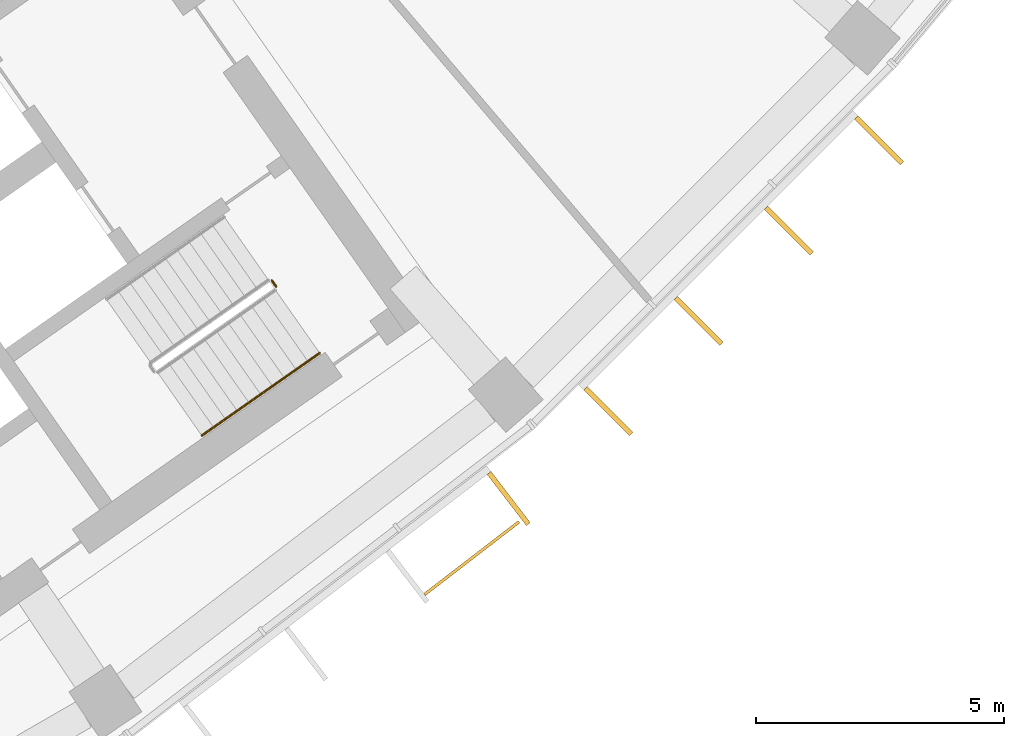
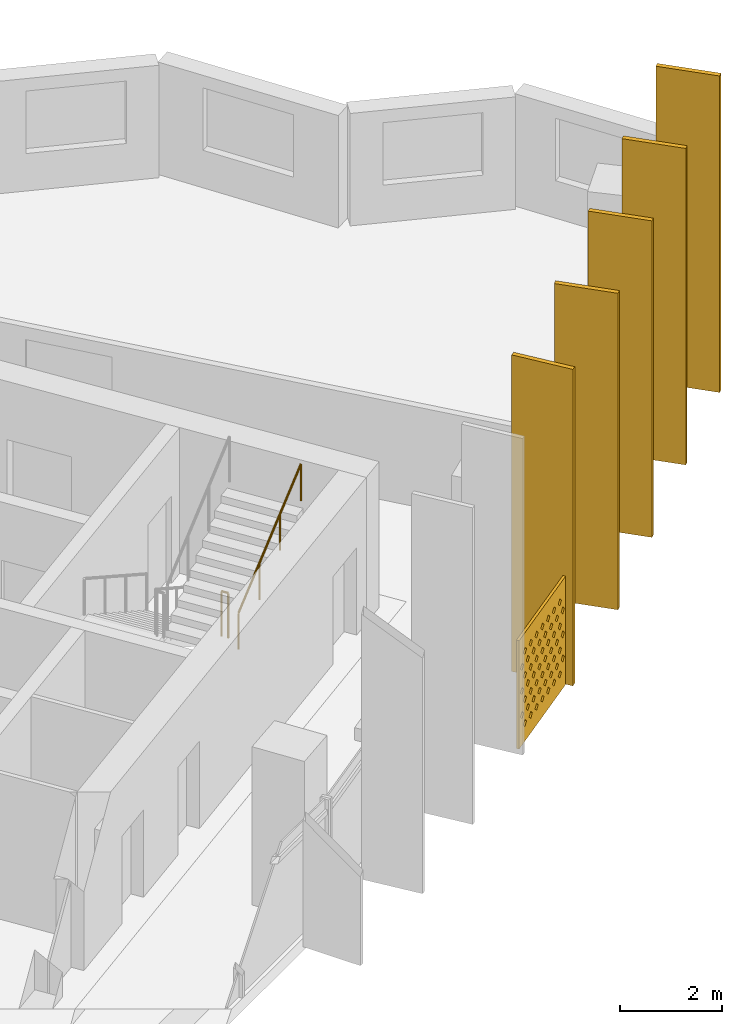
# One storey, part 28 of 28: 6 shading devices, 2 railings.
"""IFC4 building model written with IfcOpenShell, lengths in metres."""

from ifc_helpers import new_model, si_unit, direction, frame, origin, origin_2d, place, context, subcontext, project, spatial, polyline, rectangle, circle, outline, extrude, material, material_profile, profile_set, type_object, element, save


model = new_model("IFC4")

# Units and contexts
model_context = context("Model", 3, precision=1e-05, world=origin(), true_north=direction((0.0, 1.0)))
body_context = subcontext(model_context, "Body", "Model", "MODEL_VIEW")
ifc_project = project(units=[si_unit("LENGTHUNIT", "METRE"), si_unit("AREAUNIT", "SQUARE_METRE"), si_unit("VOLUMEUNIT", "CUBIC_METRE"), si_unit("PLANEANGLEUNIT", "RADIAN"), si_unit("MASSUNIT", "GRAM", prefix="KILO")], contexts=[model_context])

# Site, building, storey
site_placement = place(None, origin())
site = spatial("IfcSite", under=ifc_project, at=site_placement, CompositionType="ELEMENT")
building_placement = place(site_placement, origin())
building = spatial("IfcBuilding", under=site, at=building_placement, Name="Qamariyya Broadcast Tower", CompositionType="ELEMENT")
storey_placement = place(building_placement, frame((0.0, 0.0, 241.699951171875)))
storey = spatial("IfcBuildingStorey", under=building, at=storey_placement, Name="L58", CompositionType="ELEMENT", Elevation=241.699951171875)

# Shading device
ifc_material_1 = material(Name="Perforated glazed terracotta", Category="masonry")
ifc_material_profile_1 = material_profile(ifc_material_1, outline(polyline([(-1.199951171875, -1.300048828125), (1.199951171875, -1.300048828125), (1.199951171875, 1.300048828125), (-1.199951171875, 1.300048828125), (-1.199951171875, -1.300048828125)]), holes=[polyline([(-0.81494140625, -0.86669921875), (-0.89990234375, -0.78173828125), (-0.985107421875, -0.86669921875), (-0.89990234375, -0.95166015625), (-0.81494140625, -0.86669921875)]), polyline([(-0.514892578125, -0.86669921875), (-0.60009765625, -0.78173828125), (-0.68505859375, -0.86669921875), (-0.60009765625, -0.95166015625), (-0.514892578125, -0.86669921875)]), polyline([(-0.215087890625, -0.86669921875), (-0.300048828125, -0.78173828125), (-0.385009765625, -0.86669921875), (-0.300048828125, -0.95166015625), (-0.215087890625, -0.86669921875)]), polyline([(0.0849609375, -0.86669921875), (0.0, -0.78173828125), (-0.0849609375, -0.86669921875), (0.0, -0.95166015625), (0.0849609375, -0.86669921875)]), polyline([(0.385009765625, -0.86669921875), (0.300048828125, -0.78173828125), (0.215087890625, -0.86669921875), (0.300048828125, -0.95166015625), (0.385009765625, -0.86669921875)]), polyline([(0.68505859375, -0.86669921875), (0.60009765625, -0.78173828125), (0.514892578125, -0.86669921875), (0.60009765625, -0.95166015625), (0.68505859375, -0.86669921875)]), polyline([(0.985107421875, -0.86669921875), (0.89990234375, -0.78173828125), (0.81494140625, -0.86669921875), (0.89990234375, -0.95166015625), (0.985107421875, -0.86669921875)]), polyline([(-0.965087890625, -0.577880859375), (-1.050048828125, -0.49267578125), (-1.135009765625, -0.577880859375), (-1.050048828125, -0.662841796875), (-0.965087890625, -0.577880859375)]), polyline([(-0.6650390625, -0.577880859375), (-0.75, -0.49267578125), (-0.8349609375, -0.577880859375), (-0.75, -0.662841796875), (-0.6650390625, -0.577880859375)]), polyline([(-0.364990234375, -0.577880859375), (-0.449951171875, -0.49267578125), (-0.534912109375, -0.577880859375), (-0.449951171875, -0.662841796875), (-0.364990234375, -0.577880859375)]), polyline([(-0.06494140625, -0.577880859375), (-0.14990234375, -0.49267578125), (-0.235107421875, -0.577880859375), (-0.14990234375, -0.662841796875), (-0.06494140625, -0.577880859375)]), polyline([(0.235107421875, -0.577880859375), (0.14990234375, -0.49267578125), (0.06494140625, -0.577880859375), (0.14990234375, -0.662841796875), (0.235107421875, -0.577880859375)]), polyline([(0.534912109375, -0.577880859375), (0.449951171875, -0.49267578125), (0.364990234375, -0.577880859375), (0.449951171875, -0.662841796875), (0.534912109375, -0.577880859375)]), polyline([(0.8349609375, -0.577880859375), (0.75, -0.49267578125), (0.6650390625, -0.577880859375), (0.75, -0.662841796875), (0.8349609375, -0.577880859375)]), polyline([(1.135009765625, -0.577880859375), (1.050048828125, -0.49267578125), (0.965087890625, -0.577880859375), (1.050048828125, -0.662841796875), (1.135009765625, -0.577880859375)]), polyline([(-0.81494140625, -0.288818359375), (-0.89990234375, -0.203857421875), (-0.985107421875, -0.288818359375), (-0.89990234375, -0.373779296875), (-0.81494140625, -0.288818359375)]), polyline([(-0.514892578125, -0.288818359375), (-0.60009765625, -0.203857421875), (-0.68505859375, -0.288818359375), (-0.60009765625, -0.373779296875), (-0.514892578125, -0.288818359375)]), polyline([(-0.215087890625, -0.288818359375), (-0.300048828125, -0.203857421875), (-0.385009765625, -0.288818359375), (-0.300048828125, -0.373779296875), (-0.215087890625, -0.288818359375)]), polyline([(0.0849609375, -0.288818359375), (0.0, -0.203857421875), (-0.0849609375, -0.288818359375), (0.0, -0.373779296875), (0.0849609375, -0.288818359375)]), polyline([(0.385009765625, -0.288818359375), (0.300048828125, -0.203857421875), (0.215087890625, -0.288818359375), (0.300048828125, -0.373779296875), (0.385009765625, -0.288818359375)]), polyline([(0.68505859375, -0.288818359375), (0.60009765625, -0.203857421875), (0.514892578125, -0.288818359375), (0.60009765625, -0.373779296875), (0.68505859375, -0.288818359375)]), polyline([(0.985107421875, -0.288818359375), (0.89990234375, -0.203857421875), (0.81494140625, -0.288818359375), (0.89990234375, -0.373779296875), (0.985107421875, -0.288818359375)]), polyline([(-0.965087890625, 0.0), (-1.050048828125, 0.0849609375), (-1.135009765625, 0.0), (-1.050048828125, -0.0849609375), (-0.965087890625, 0.0)]), polyline([(-0.6650390625, 0.0), (-0.75, 0.0849609375), (-0.8349609375, 0.0), (-0.75, -0.0849609375), (-0.6650390625, 0.0)]), polyline([(-0.364990234375, 0.0), (-0.449951171875, 0.0849609375), (-0.534912109375, 0.0), (-0.449951171875, -0.0849609375), (-0.364990234375, 0.0)]), polyline([(-0.06494140625, 0.0), (-0.14990234375, 0.0849609375), (-0.235107421875, 0.0), (-0.14990234375, -0.0849609375), (-0.06494140625, 0.0)]), polyline([(0.235107421875, 0.0), (0.14990234375, 0.0849609375), (0.06494140625, 0.0), (0.14990234375, -0.0849609375), (0.235107421875, 0.0)]), polyline([(0.534912109375, 0.0), (0.449951171875, 0.0849609375), (0.364990234375, 0.0), (0.449951171875, -0.0849609375), (0.534912109375, 0.0)]), polyline([(0.8349609375, 0.0), (0.75, 0.0849609375), (0.6650390625, 0.0), (0.75, -0.0849609375), (0.8349609375, 0.0)]), polyline([(1.135009765625, 0.0), (1.050048828125, 0.0849609375), (0.965087890625, 0.0), (1.050048828125, -0.0849609375), (1.135009765625, 0.0)]), polyline([(-0.81494140625, 0.288818359375), (-0.89990234375, 0.373779296875), (-0.985107421875, 0.288818359375), (-0.89990234375, 0.203857421875), (-0.81494140625, 0.288818359375)]), polyline([(-0.514892578125, 0.288818359375), (-0.60009765625, 0.373779296875), (-0.68505859375, 0.288818359375), (-0.60009765625, 0.203857421875), (-0.514892578125, 0.288818359375)]), polyline([(-0.215087890625, 0.288818359375), (-0.300048828125, 0.373779296875), (-0.385009765625, 0.288818359375), (-0.300048828125, 0.203857421875), (-0.215087890625, 0.288818359375)]), polyline([(0.0849609375, 0.288818359375), (0.0, 0.373779296875), (-0.0849609375, 0.288818359375), (0.0, 0.203857421875), (0.0849609375, 0.288818359375)]), polyline([(0.385009765625, 0.288818359375), (0.300048828125, 0.373779296875), (0.215087890625, 0.288818359375), (0.300048828125, 0.203857421875), (0.385009765625, 0.288818359375)]), polyline([(0.68505859375, 0.288818359375), (0.60009765625, 0.373779296875), (0.514892578125, 0.288818359375), (0.60009765625, 0.203857421875), (0.68505859375, 0.288818359375)]), polyline([(0.985107421875, 0.288818359375), (0.89990234375, 0.373779296875), (0.81494140625, 0.288818359375), (0.89990234375, 0.203857421875), (0.985107421875, 0.288818359375)]), polyline([(-0.965087890625, 0.577880859375), (-1.050048828125, 0.662841796875), (-1.135009765625, 0.577880859375), (-1.050048828125, 0.49267578125), (-0.965087890625, 0.577880859375)]), polyline([(-0.6650390625, 0.577880859375), (-0.75, 0.662841796875), (-0.8349609375, 0.577880859375), (-0.75, 0.49267578125), (-0.6650390625, 0.577880859375)]), polyline([(-0.364990234375, 0.577880859375), (-0.449951171875, 0.662841796875), (-0.534912109375, 0.577880859375), (-0.449951171875, 0.49267578125), (-0.364990234375, 0.577880859375)]), polyline([(-0.06494140625, 0.577880859375), (-0.14990234375, 0.662841796875), (-0.235107421875, 0.577880859375), (-0.14990234375, 0.49267578125), (-0.06494140625, 0.577880859375)]), polyline([(0.235107421875, 0.577880859375), (0.14990234375, 0.662841796875), (0.06494140625, 0.577880859375), (0.14990234375, 0.49267578125), (0.235107421875, 0.577880859375)]), polyline([(0.534912109375, 0.577880859375), (0.449951171875, 0.662841796875), (0.364990234375, 0.577880859375), (0.449951171875, 0.49267578125), (0.534912109375, 0.577880859375)]), polyline([(0.8349609375, 0.577880859375), (0.75, 0.662841796875), (0.6650390625, 0.577880859375), (0.75, 0.49267578125), (0.8349609375, 0.577880859375)]), polyline([(1.135009765625, 0.577880859375), (1.050048828125, 0.662841796875), (0.965087890625, 0.577880859375), (1.050048828125, 0.49267578125), (1.135009765625, 0.577880859375)]), polyline([(-0.81494140625, 0.86669921875), (-0.89990234375, 0.95166015625), (-0.985107421875, 0.86669921875), (-0.89990234375, 0.78173828125), (-0.81494140625, 0.86669921875)]), polyline([(-0.514892578125, 0.86669921875), (-0.60009765625, 0.95166015625), (-0.68505859375, 0.86669921875), (-0.60009765625, 0.78173828125), (-0.514892578125, 0.86669921875)]), polyline([(-0.215087890625, 0.86669921875), (-0.300048828125, 0.95166015625), (-0.385009765625, 0.86669921875), (-0.300048828125, 0.78173828125), (-0.215087890625, 0.86669921875)]), polyline([(0.0849609375, 0.86669921875), (0.0, 0.95166015625), (-0.0849609375, 0.86669921875), (0.0, 0.78173828125), (0.0849609375, 0.86669921875)]), polyline([(0.385009765625, 0.86669921875), (0.300048828125, 0.95166015625), (0.215087890625, 0.86669921875), (0.300048828125, 0.78173828125), (0.385009765625, 0.86669921875)]), polyline([(0.68505859375, 0.86669921875), (0.60009765625, 0.95166015625), (0.514892578125, 0.86669921875), (0.60009765625, 0.78173828125), (0.68505859375, 0.86669921875)]), polyline([(0.985107421875, 0.86669921875), (0.89990234375, 0.95166015625), (0.81494140625, 0.86669921875), (0.89990234375, 0.78173828125), (0.985107421875, 0.86669921875)])]))
ifc_profile_set_1 = profile_set([ifc_material_profile_1], Name="Perforated glazed terracotta")
shading_device_type_1 = type_object("IfcShadingDeviceType", Name="Perforated terracotta screen 2400 x 2600", PredefinedType="USERDEFINED", material=ifc_profile_set_1)
shading_device_placement = place(storey_placement, frame((50.5615234375, -61.727294921875, 1.35009765625), z_axis=(0.60971076085, -0.792623989105, 0.0), x_axis=(0.792623989105, 0.60971076085, 0.0)))
element("IfcShadingDevice", 1, at=shading_device_placement, inside=storey, type_object=shading_device_type_1, Name="e-scr-L58-13-2", ObjectType="SCREEN", PredefinedType="USERDEFINED", context=body_context, shape_type="SweptSolid", body=[
    extrude(outline(polyline([(-1.199951171875, -1.300048828125), (1.199951171875, -1.300048828125), (1.199951171875, 1.300048828125), (-1.199951171875, 1.300048828125), (-1.199951171875, -1.300048828125)]), holes=[polyline([(-0.81494140625, -0.86669921875), (-0.89990234375, -0.78173828125), (-0.985107421875, -0.86669921875), (-0.89990234375, -0.95166015625), (-0.81494140625, -0.86669921875)]), polyline([(-0.514892578125, -0.86669921875), (-0.60009765625, -0.78173828125), (-0.68505859375, -0.86669921875), (-0.60009765625, -0.95166015625), (-0.514892578125, -0.86669921875)]), polyline([(-0.215087890625, -0.86669921875), (-0.300048828125, -0.78173828125), (-0.385009765625, -0.86669921875), (-0.300048828125, -0.95166015625), (-0.215087890625, -0.86669921875)]), polyline([(0.0849609375, -0.86669921875), (0.0, -0.78173828125), (-0.0849609375, -0.86669921875), (0.0, -0.95166015625), (0.0849609375, -0.86669921875)]), polyline([(0.385009765625, -0.86669921875), (0.300048828125, -0.78173828125), (0.215087890625, -0.86669921875), (0.300048828125, -0.95166015625), (0.385009765625, -0.86669921875)]), polyline([(0.68505859375, -0.86669921875), (0.60009765625, -0.78173828125), (0.514892578125, -0.86669921875), (0.60009765625, -0.95166015625), (0.68505859375, -0.86669921875)]), polyline([(0.985107421875, -0.86669921875), (0.89990234375, -0.78173828125), (0.81494140625, -0.86669921875), (0.89990234375, -0.95166015625), (0.985107421875, -0.86669921875)]), polyline([(-0.965087890625, -0.577880859375), (-1.050048828125, -0.49267578125), (-1.135009765625, -0.577880859375), (-1.050048828125, -0.662841796875), (-0.965087890625, -0.577880859375)]), polyline([(-0.6650390625, -0.577880859375), (-0.75, -0.49267578125), (-0.8349609375, -0.577880859375), (-0.75, -0.662841796875), (-0.6650390625, -0.577880859375)]), polyline([(-0.364990234375, -0.577880859375), (-0.449951171875, -0.49267578125), (-0.534912109375, -0.577880859375), (-0.449951171875, -0.662841796875), (-0.364990234375, -0.577880859375)]), polyline([(-0.06494140625, -0.577880859375), (-0.14990234375, -0.49267578125), (-0.235107421875, -0.577880859375), (-0.14990234375, -0.662841796875), (-0.06494140625, -0.577880859375)]), polyline([(0.235107421875, -0.577880859375), (0.14990234375, -0.49267578125), (0.06494140625, -0.577880859375), (0.14990234375, -0.662841796875), (0.235107421875, -0.577880859375)]), polyline([(0.534912109375, -0.577880859375), (0.449951171875, -0.49267578125), (0.364990234375, -0.577880859375), (0.449951171875, -0.662841796875), (0.534912109375, -0.577880859375)]), polyline([(0.8349609375, -0.577880859375), (0.75, -0.49267578125), (0.6650390625, -0.577880859375), (0.75, -0.662841796875), (0.8349609375, -0.577880859375)]), polyline([(1.135009765625, -0.577880859375), (1.050048828125, -0.49267578125), (0.965087890625, -0.577880859375), (1.050048828125, -0.662841796875), (1.135009765625, -0.577880859375)]), polyline([(-0.81494140625, -0.288818359375), (-0.89990234375, -0.203857421875), (-0.985107421875, -0.288818359375), (-0.89990234375, -0.373779296875), (-0.81494140625, -0.288818359375)]), polyline([(-0.514892578125, -0.288818359375), (-0.60009765625, -0.203857421875), (-0.68505859375, -0.288818359375), (-0.60009765625, -0.373779296875), (-0.514892578125, -0.288818359375)]), polyline([(-0.215087890625, -0.288818359375), (-0.300048828125, -0.203857421875), (-0.385009765625, -0.288818359375), (-0.300048828125, -0.373779296875), (-0.215087890625, -0.288818359375)]), polyline([(0.0849609375, -0.288818359375), (0.0, -0.203857421875), (-0.0849609375, -0.288818359375), (0.0, -0.373779296875), (0.0849609375, -0.288818359375)]), polyline([(0.385009765625, -0.288818359375), (0.300048828125, -0.203857421875), (0.215087890625, -0.288818359375), (0.300048828125, -0.373779296875), (0.385009765625, -0.288818359375)]), polyline([(0.68505859375, -0.288818359375), (0.60009765625, -0.203857421875), (0.514892578125, -0.288818359375), (0.60009765625, -0.373779296875), (0.68505859375, -0.288818359375)]), polyline([(0.985107421875, -0.288818359375), (0.89990234375, -0.203857421875), (0.81494140625, -0.288818359375), (0.89990234375, -0.373779296875), (0.985107421875, -0.288818359375)]), polyline([(-0.965087890625, 0.0), (-1.050048828125, 0.0849609375), (-1.135009765625, 0.0), (-1.050048828125, -0.0849609375), (-0.965087890625, 0.0)]), polyline([(-0.6650390625, 0.0), (-0.75, 0.0849609375), (-0.8349609375, 0.0), (-0.75, -0.0849609375), (-0.6650390625, 0.0)]), polyline([(-0.364990234375, 0.0), (-0.449951171875, 0.0849609375), (-0.534912109375, 0.0), (-0.449951171875, -0.0849609375), (-0.364990234375, 0.0)]), polyline([(-0.06494140625, 0.0), (-0.14990234375, 0.0849609375), (-0.235107421875, 0.0), (-0.14990234375, -0.0849609375), (-0.06494140625, 0.0)]), polyline([(0.235107421875, 0.0), (0.14990234375, 0.0849609375), (0.06494140625, 0.0), (0.14990234375, -0.0849609375), (0.235107421875, 0.0)]), polyline([(0.534912109375, 0.0), (0.449951171875, 0.0849609375), (0.364990234375, 0.0), (0.449951171875, -0.0849609375), (0.534912109375, 0.0)]), polyline([(0.8349609375, 0.0), (0.75, 0.0849609375), (0.6650390625, 0.0), (0.75, -0.0849609375), (0.8349609375, 0.0)]), polyline([(1.135009765625, 0.0), (1.050048828125, 0.0849609375), (0.965087890625, 0.0), (1.050048828125, -0.0849609375), (1.135009765625, 0.0)]), polyline([(-0.81494140625, 0.288818359375), (-0.89990234375, 0.373779296875), (-0.985107421875, 0.288818359375), (-0.89990234375, 0.203857421875), (-0.81494140625, 0.288818359375)]), polyline([(-0.514892578125, 0.288818359375), (-0.60009765625, 0.373779296875), (-0.68505859375, 0.288818359375), (-0.60009765625, 0.203857421875), (-0.514892578125, 0.288818359375)]), polyline([(-0.215087890625, 0.288818359375), (-0.300048828125, 0.373779296875), (-0.385009765625, 0.288818359375), (-0.300048828125, 0.203857421875), (-0.215087890625, 0.288818359375)]), polyline([(0.0849609375, 0.288818359375), (0.0, 0.373779296875), (-0.0849609375, 0.288818359375), (0.0, 0.203857421875), (0.0849609375, 0.288818359375)]), polyline([(0.385009765625, 0.288818359375), (0.300048828125, 0.373779296875), (0.215087890625, 0.288818359375), (0.300048828125, 0.203857421875), (0.385009765625, 0.288818359375)]), polyline([(0.68505859375, 0.288818359375), (0.60009765625, 0.373779296875), (0.514892578125, 0.288818359375), (0.60009765625, 0.203857421875), (0.68505859375, 0.288818359375)]), polyline([(0.985107421875, 0.288818359375), (0.89990234375, 0.373779296875), (0.81494140625, 0.288818359375), (0.89990234375, 0.203857421875), (0.985107421875, 0.288818359375)]), polyline([(-0.965087890625, 0.577880859375), (-1.050048828125, 0.662841796875), (-1.135009765625, 0.577880859375), (-1.050048828125, 0.49267578125), (-0.965087890625, 0.577880859375)]), polyline([(-0.6650390625, 0.577880859375), (-0.75, 0.662841796875), (-0.8349609375, 0.577880859375), (-0.75, 0.49267578125), (-0.6650390625, 0.577880859375)]), polyline([(-0.364990234375, 0.577880859375), (-0.449951171875, 0.662841796875), (-0.534912109375, 0.577880859375), (-0.449951171875, 0.49267578125), (-0.364990234375, 0.577880859375)]), polyline([(-0.06494140625, 0.577880859375), (-0.14990234375, 0.662841796875), (-0.235107421875, 0.577880859375), (-0.14990234375, 0.49267578125), (-0.06494140625, 0.577880859375)]), polyline([(0.235107421875, 0.577880859375), (0.14990234375, 0.662841796875), (0.06494140625, 0.577880859375), (0.14990234375, 0.49267578125), (0.235107421875, 0.577880859375)]), polyline([(0.534912109375, 0.577880859375), (0.449951171875, 0.662841796875), (0.364990234375, 0.577880859375), (0.449951171875, 0.49267578125), (0.534912109375, 0.577880859375)]), polyline([(0.8349609375, 0.577880859375), (0.75, 0.662841796875), (0.6650390625, 0.577880859375), (0.75, 0.49267578125), (0.8349609375, 0.577880859375)]), polyline([(1.135009765625, 0.577880859375), (1.050048828125, 0.662841796875), (0.965087890625, 0.577880859375), (1.050048828125, 0.49267578125), (1.135009765625, 0.577880859375)]), polyline([(-0.81494140625, 0.86669921875), (-0.89990234375, 0.95166015625), (-0.985107421875, 0.86669921875), (-0.89990234375, 0.78173828125), (-0.81494140625, 0.86669921875)]), polyline([(-0.514892578125, 0.86669921875), (-0.60009765625, 0.95166015625), (-0.68505859375, 0.86669921875), (-0.60009765625, 0.78173828125), (-0.514892578125, 0.86669921875)]), polyline([(-0.215087890625, 0.86669921875), (-0.300048828125, 0.95166015625), (-0.385009765625, 0.86669921875), (-0.300048828125, 0.78173828125), (-0.215087890625, 0.86669921875)]), polyline([(0.0849609375, 0.86669921875), (0.0, 0.95166015625), (-0.0849609375, 0.86669921875), (0.0, 0.78173828125), (0.0849609375, 0.86669921875)]), polyline([(0.385009765625, 0.86669921875), (0.300048828125, 0.95166015625), (0.215087890625, 0.86669921875), (0.300048828125, 0.78173828125), (0.385009765625, 0.86669921875)]), polyline([(0.68505859375, 0.86669921875), (0.60009765625, 0.95166015625), (0.514892578125, 0.86669921875), (0.60009765625, 0.78173828125), (0.68505859375, 0.86669921875)]), polyline([(0.985107421875, 0.86669921875), (0.89990234375, 0.95166015625), (0.81494140625, 0.86669921875), (0.89990234375, 0.78173828125), (0.985107421875, 0.86669921875)])]), origin(), (0.0, 0.0, 1.0), 0.06005859375),
])

# Railings
ifc_material_2 = material(Name="Painted steel", Category="steel")
railing_type_1 = type_object("IfcRailingType", Name="Stair guard", PredefinedType="GUARDRAIL", material=ifc_material_2)
railing_1_placement = place(storey_placement, frame((46.550537109375, -56.1552734375, 0.0)))
element("IfcRailing", 2, at=railing_1_placement, inside=storey, type_object=railing_type_1, Name="L58 ST-E1 stair guard 3", PredefinedType="GUARDRAIL", context=body_context, shape_type="SweptSolid", body=[
    extrude(circle(Radius=0.02392578125, at=origin_2d()), frame((0.0, 0.0, 1.076171875), z_axis=(0.574444878118, -0.818543268254, 0.0), x_axis=(0.818543268254, 0.574444878118, 0.0)), (0.0, 0.0, 1.0), 0.150146484375),
    extrude(circle(Radius=0.02099609375, at=origin_2d()), origin(), (0.0, 0.0, 1.0), 1.052001953125),
    extrude(circle(Radius=0.02099609375, at=origin_2d()), frame((0.086181640625, -0.122802734375, 0.0)), (0.0, 0.0, 1.0), 1.052001953125),
])
ifc_material_3 = material(Name="Stainless steel", Category="steel")
railing_type_2 = type_object("IfcRailingType", Name="Stair handrail", PredefinedType="HANDRAIL", material=ifc_material_3)
railing_2_placement = place(storey_placement, frame((45.137939453125, -59.28076171875, 2.07275390625)))
element("IfcRailing", 3, at=railing_2_placement, inside=storey, type_object=railing_type_2, Name="L58 ST-E1 stair handrail 2", PredefinedType="HANDRAIL", context=body_context, shape_type="SweptSolid", body=[
    extrude(circle(Radius=0.02392578125, at=origin_2d()), frame((0.0, 0.0, 0.8759765625), z_axis=(0.703770094002, 0.492783725636, 0.511734163933), x_axis=(-0.573575343427, 0.819152809562, 0.0)), (0.0, 0.0, 1.0), 3.37548828125),
    extrude(circle(Radius=0.02099609375, at=origin_2d()), origin(), (0.0, 0.0, 1.0), 0.851806640625),
    extrude(circle(Radius=0.02099609375, at=origin_2d()), frame((0.791748046875, 0.554443359375, 0.57568359375)), (0.0, 0.0, 1.0), 0.851806640625),
    extrude(circle(Radius=0.02099609375, at=origin_2d()), frame((1.583740234375, 1.10888671875, 1.151611328125)), (0.0, 0.0, 1.0), 0.851806640625),
    extrude(circle(Radius=0.02099609375, at=origin_2d()), frame((2.37548828125, 1.663330078125, 1.727294921875)), (0.0, 0.0, 1.0), 0.851806640625),
])

# Shading devices
ifc_material_4 = material(Name="Glazed terracotta", Category="masonry")
ifc_material_profile_2 = material_profile(ifc_material_4, rectangle(XDim=1.300048828125, YDim=0.10009765625, at=origin_2d()))
ifc_profile_set_2 = profile_set([ifc_material_profile_2], Name="Glazed terracotta")
shading_device_type_2 = type_object("IfcShadingDeviceType", Name="Terracotta fin 100 x 1300", PredefinedType="USERDEFINED", material=ifc_profile_set_2)
for number, where, z_axis, x_axis, name in (
    (4, (51.32421875, -60.5498046875, 0.0), (0.0, 0.0, 1.0), (0.608761429009, -0.793353340291, 0.0), "e-fin-L58-13-3"),
    (5, (53.33251953125, -58.78857421875, 0.0), (0.0, 0.0, 1.0), (0.707106781187, -0.707106781187, 0.0), "e-fin-L58-14-0"),
    (6, (55.151123046875, -56.969970703125, 0.0), (0.0, 0.0, 1.0), (0.707106781187, -0.707106781187, 0.0), "e-fin-L58-14-1"),
    (7, (56.969970703125, -55.151123046875, 0.0), (0.0, 0.0, 1.0), (0.707106781187, -0.707106781187, 0.0), "e-fin-L58-14-2"),
    (8, (58.78857421875, -53.33251953125, 0.0), (0.0, 0.0, 1.0), (0.707106781187, -0.707106781187, 0.0), "e-fin-L58-14-3"),
):
    element("IfcShadingDevice", number, at=place(storey_placement, frame(where, z_axis=z_axis, x_axis=x_axis)), inside=storey, type_object=shading_device_type_2, Name=name, ObjectType="FIN", PredefinedType="USERDEFINED", context=body_context, shape_type="SweptSolid", body=[
        extrude(rectangle(XDim=1.300048828125, YDim=0.10009765625, at=origin_2d()), origin(), (0.0, 0.0, 1.0), 7.60009765625),
    ])

save(model, "model.ifc")
